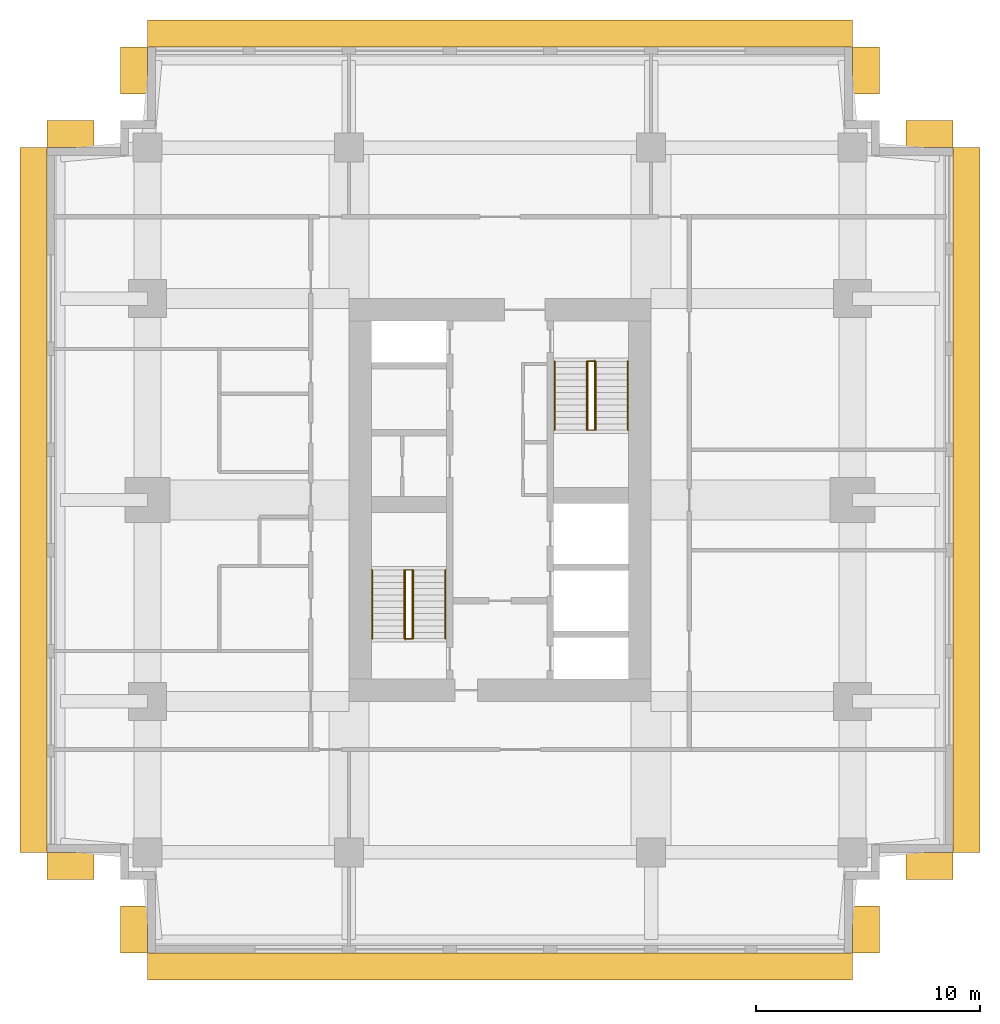
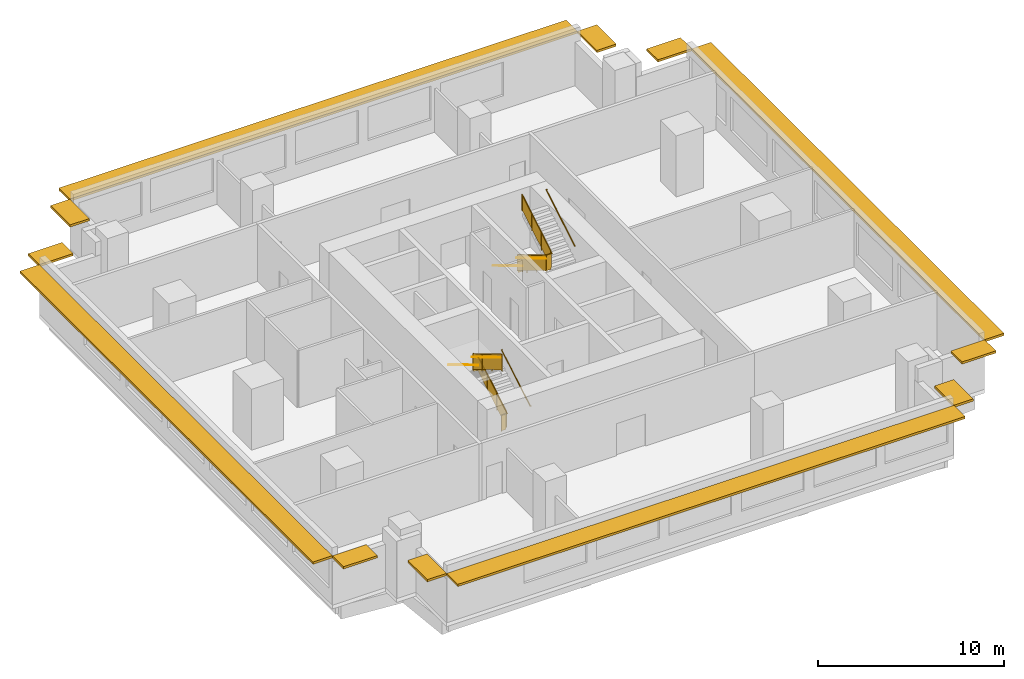
# One storey, part 5 of 5: 12 shading devices, 10 railings.
"""IFC4 building model written with IfcOpenShell, lengths in metres."""

from ifc_helpers import new_model, si_unit, direction, frame, origin, origin_2d, place, context, subcontext, project, spatial, polyline, rectangle, circle, outline, extrude, material, layer, layer_set, type_object, element, save


model = new_model("IFC4")

# Units and contexts
model_context = context("Model", 3, precision=1e-05, world=origin(), true_north=direction((0.0, 1.0)))
body_context = subcontext(model_context, "Body", "Model", "MODEL_VIEW")
ifc_project = project(units=[si_unit("LENGTHUNIT", "METRE"), si_unit("AREAUNIT", "SQUARE_METRE"), si_unit("VOLUMEUNIT", "CUBIC_METRE"), si_unit("PLANEANGLEUNIT", "RADIAN"), si_unit("MASSUNIT", "GRAM", prefix="KILO")], contexts=[model_context])

# Site, building, storey
site_placement = place(None, origin())
site = spatial("IfcSite", under=ifc_project, at=site_placement, CompositionType="ELEMENT")
building_placement = place(site_placement, origin())
building = spatial("IfcBuilding", under=site, at=building_placement, Name="Namib Vertical Campus", CompositionType="ELEMENT")
storey_placement = place(building_placement, frame((0.0, 0.0, 273.0)))
storey = spatial("IfcBuildingStorey", under=building, at=storey_placement, Name="L64", CompositionType="ELEMENT", Elevation=273.0)

# Railings
ifc_material_1 = material(Name="Steel handrail", Category="steel")
railing_type_1 = type_object("IfcRailingType", Name="Handrail 900", PredefinedType="HANDRAIL", material=ifc_material_1)
railing_1_placement = place(storey_placement, frame((17.800048828125, 14.050048828125, 0.166748046875)))
element("IfcRailing", 1, at=railing_1_placement, inside=storey, type_object=railing_type_1, Name="Handrail HR1 A-S1 L64 1", PredefinedType="HANDRAIL", context=body_context, shape_type="SweptSolid", body=[
    extrude(circle(Radius=0.02392578125, at=origin_2d()), frame((0.0, 0.0, 0.8759765625), z_axis=(0.0, 0.859290745958, 0.51148745235), x_axis=(-1.0, 0.0, 0.0)), (0.0, 0.0, 1.0), 3.584228515625),
    extrude(circle(Radius=0.008056640625, at=origin_2d()), frame((0.0, 0.0, 0.8759765625), z_axis=(1.0, 0.0, 0.0), x_axis=(0.0, 0.0, 1.0)), (0.0, 0.0, 1.0), 0.050048828125),
    extrude(circle(Radius=0.008056640625, at=origin_2d()), frame((0.0, 1.026611328125, 1.48681640625), z_axis=(1.0, 0.0, 0.0), x_axis=(0.0, 0.0, 1.0)), (0.0, 0.0, 1.0), 0.050048828125),
    extrude(circle(Radius=0.008056640625, at=origin_2d()), frame((0.0, 2.05322265625, 2.09814453125), z_axis=(1.0, 0.0, 0.0), x_axis=(0.0, 0.0, 1.0)), (0.0, 0.0, 1.0), 0.050048828125),
    extrude(circle(Radius=0.008056640625, at=origin_2d()), frame((0.0, 3.079833984375, 2.708984375), z_axis=(1.0, 0.0, 0.0), x_axis=(0.0, 0.0, 1.0)), (0.0, 0.0, 1.0), 0.050048828125),
])
railing_2_placement = place(storey_placement, frame((14.550048828125, 17.1298828125, 2.166748046875)))
element("IfcRailing", 2, at=railing_2_placement, inside=storey, type_object=railing_type_1, Name="Handrail HR1 A-S1 L64 2", PredefinedType="HANDRAIL", context=body_context, shape_type="SweptSolid", body=[
    extrude(circle(Radius=0.02392578125, at=origin_2d()), frame((0.0, 0.0, 0.8759765625), z_axis=(0.0, -0.859290745958, 0.51148745235), x_axis=(1.0, 0.0, 0.0)), (0.0, 0.0, 1.0), 3.584228515625),
    extrude(circle(Radius=0.008056640625, at=origin_2d()), frame((0.0, 0.0, 0.8759765625), z_axis=(-1.0, 0.0, 0.0), x_axis=(0.0, 0.0, 1.0)), (0.0, 0.0, 1.0), 0.050048828125),
    extrude(circle(Radius=0.008056640625, at=origin_2d()), frame((0.0, -1.026611328125, 1.48681640625), z_axis=(-1.0, 0.0, 0.0), x_axis=(0.0, 0.0, 1.0)), (0.0, 0.0, 1.0), 0.050048828125),
    extrude(circle(Radius=0.008056640625, at=origin_2d()), frame((0.0, -2.05322265625, 2.09814453125), z_axis=(-1.0, 0.0, 0.0), x_axis=(0.0, 0.0, 1.0)), (0.0, 0.0, 1.0), 0.050048828125),
    extrude(circle(Radius=0.008056640625, at=origin_2d()), frame((0.0, -3.079833984375, 2.708984375), z_axis=(-1.0, 0.0, 0.0), x_axis=(0.0, 0.0, 1.0)), (0.0, 0.0, 1.0), 0.050048828125),
])
railing_3_placement = place(storey_placement, frame((16.375, 14.050048828125, 0.166748046875)))
element("IfcRailing", 3, at=railing_3_placement, inside=storey, type_object=railing_type_1, Name="Handrail HR1 A-S1 L64 1 at the well", PredefinedType="HANDRAIL", context=body_context, shape_type="SweptSolid", body=[
    extrude(circle(Radius=0.02392578125, at=origin_2d()), frame((0.0, 0.0, 0.8759765625), z_axis=(0.0, 0.859290745958, 0.51148745235), x_axis=(-1.0, 0.0, 0.0)), (0.0, 0.0, 1.0), 3.584228515625),
    extrude(circle(Radius=0.008056640625, at=origin_2d()), frame((0.0, 0.0, 0.8759765625), z_axis=(-1.0, 0.0, 0.0), x_axis=(0.0, 0.0, 1.0)), (0.0, 0.0, 1.0), 0.0400390625),
    extrude(circle(Radius=0.008056640625, at=origin_2d()), frame((0.0, 1.026611328125, 1.48681640625), z_axis=(-1.0, 0.0, 0.0), x_axis=(0.0, 0.0, 1.0)), (0.0, 0.0, 1.0), 0.0400390625),
    extrude(circle(Radius=0.008056640625, at=origin_2d()), frame((0.0, 2.05322265625, 2.09814453125), z_axis=(-1.0, 0.0, 0.0), x_axis=(0.0, 0.0, 1.0)), (0.0, 0.0, 1.0), 0.0400390625),
    extrude(circle(Radius=0.008056640625, at=origin_2d()), frame((0.0, 3.079833984375, 2.708984375), z_axis=(-1.0, 0.0, 0.0), x_axis=(0.0, 0.0, 1.0)), (0.0, 0.0, 1.0), 0.0400390625),
])
railing_4_placement = place(storey_placement, frame((15.97509765625, 17.1298828125, 2.166748046875)))
element("IfcRailing", 4, at=railing_4_placement, inside=storey, type_object=railing_type_1, Name="Handrail HR1 A-S1 L64 2 at the well", PredefinedType="HANDRAIL", context=body_context, shape_type="SweptSolid", body=[
    extrude(circle(Radius=0.02392578125, at=origin_2d()), frame((0.0, 0.0, 0.8759765625), z_axis=(0.0, -0.859290745958, 0.51148745235), x_axis=(1.0, 0.0, 0.0)), (0.0, 0.0, 1.0), 3.584228515625),
    extrude(circle(Radius=0.008056640625, at=origin_2d()), frame((0.0, 0.0, 0.8759765625), z_axis=(1.0, 0.0, 0.0), x_axis=(0.0, 0.0, 1.0)), (0.0, 0.0, 1.0), 0.0400390625),
    extrude(circle(Radius=0.008056640625, at=origin_2d()), frame((0.0, -1.026611328125, 1.48681640625), z_axis=(1.0, 0.0, 0.0), x_axis=(0.0, 0.0, 1.0)), (0.0, 0.0, 1.0), 0.0400390625),
    extrude(circle(Radius=0.008056640625, at=origin_2d()), frame((0.0, -2.05322265625, 2.09814453125), z_axis=(1.0, 0.0, 0.0), x_axis=(0.0, 0.0, 1.0)), (0.0, 0.0, 1.0), 0.0400390625),
    extrude(circle(Radius=0.008056640625, at=origin_2d()), frame((0.0, -3.079833984375, 2.708984375), z_axis=(1.0, 0.0, 0.0), x_axis=(0.0, 0.0, 1.0)), (0.0, 0.0, 1.0), 0.0400390625),
])
railing_5_placement = place(storey_placement, frame((22.699951171875, 26.449951171875, 0.166748046875)))
element("IfcRailing", 5, at=railing_5_placement, inside=storey, type_object=railing_type_1, Name="Handrail HR1 A-S2 L64 1", PredefinedType="HANDRAIL", context=body_context, shape_type="SweptSolid", body=[
    extrude(circle(Radius=0.02392578125, at=origin_2d()), frame((0.0, 0.0, 0.8759765625), z_axis=(0.0, -0.859290745958, 0.51148745235), x_axis=(1.0, 0.0, 0.0)), (0.0, 0.0, 1.0), 3.584228515625),
    extrude(circle(Radius=0.008056640625, at=origin_2d()), frame((0.0, 0.0, 0.8759765625), z_axis=(-1.0, 0.0, 0.0), x_axis=(0.0, 0.0, 1.0)), (0.0, 0.0, 1.0), 0.050048828125),
    extrude(circle(Radius=0.008056640625, at=origin_2d()), frame((0.0, -1.026611328125, 1.48681640625), z_axis=(-1.0, 0.0, 0.0), x_axis=(0.0, 0.0, 1.0)), (0.0, 0.0, 1.0), 0.050048828125),
    extrude(circle(Radius=0.008056640625, at=origin_2d()), frame((0.0, -2.05322265625, 2.09814453125), z_axis=(-1.0, 0.0, 0.0), x_axis=(0.0, 0.0, 1.0)), (0.0, 0.0, 1.0), 0.050048828125),
    extrude(circle(Radius=0.008056640625, at=origin_2d()), frame((0.0, -3.079833984375, 2.708984375), z_axis=(-1.0, 0.0, 0.0), x_axis=(0.0, 0.0, 1.0)), (0.0, 0.0, 1.0), 0.050048828125),
])
railing_6_placement = place(storey_placement, frame((25.949951171875, 23.3701171875, 2.166748046875)))
element("IfcRailing", 6, at=railing_6_placement, inside=storey, type_object=railing_type_1, Name="Handrail HR1 A-S2 L64 2", PredefinedType="HANDRAIL", context=body_context, shape_type="SweptSolid", body=[
    extrude(circle(Radius=0.02392578125, at=origin_2d()), frame((0.0, 0.0, 0.8759765625), z_axis=(0.0, 0.859290745958, 0.51148745235), x_axis=(-1.0, 0.0, 0.0)), (0.0, 0.0, 1.0), 3.584228515625),
    extrude(circle(Radius=0.008056640625, at=origin_2d()), frame((0.0, 0.0, 0.8759765625), z_axis=(1.0, 0.0, 0.0), x_axis=(0.0, 0.0, 1.0)), (0.0, 0.0, 1.0), 0.050048828125),
    extrude(circle(Radius=0.008056640625, at=origin_2d()), frame((0.0, 1.026611328125, 1.48681640625), z_axis=(1.0, 0.0, 0.0), x_axis=(0.0, 0.0, 1.0)), (0.0, 0.0, 1.0), 0.050048828125),
    extrude(circle(Radius=0.008056640625, at=origin_2d()), frame((0.0, 2.05322265625, 2.09814453125), z_axis=(1.0, 0.0, 0.0), x_axis=(0.0, 0.0, 1.0)), (0.0, 0.0, 1.0), 0.050048828125),
    extrude(circle(Radius=0.008056640625, at=origin_2d()), frame((0.0, 3.079833984375, 2.708984375), z_axis=(1.0, 0.0, 0.0), x_axis=(0.0, 0.0, 1.0)), (0.0, 0.0, 1.0), 0.050048828125),
])
railing_7_placement = place(storey_placement, frame((24.125, 26.449951171875, 0.166748046875)))
element("IfcRailing", 7, at=railing_7_placement, inside=storey, type_object=railing_type_1, Name="Handrail HR1 A-S2 L64 1 at the well", PredefinedType="HANDRAIL", context=body_context, shape_type="SweptSolid", body=[
    extrude(circle(Radius=0.02392578125, at=origin_2d()), frame((0.0, 0.0, 0.8759765625), z_axis=(0.0, -0.859290745958, 0.51148745235), x_axis=(1.0, 0.0, 0.0)), (0.0, 0.0, 1.0), 3.584228515625),
    extrude(circle(Radius=0.008056640625, at=origin_2d()), frame((0.0, 0.0, 0.8759765625), z_axis=(1.0, 0.0, 0.0), x_axis=(0.0, 0.0, 1.0)), (0.0, 0.0, 1.0), 0.0400390625),
    extrude(circle(Radius=0.008056640625, at=origin_2d()), frame((0.0, -1.026611328125, 1.48681640625), z_axis=(1.0, 0.0, 0.0), x_axis=(0.0, 0.0, 1.0)), (0.0, 0.0, 1.0), 0.0400390625),
    extrude(circle(Radius=0.008056640625, at=origin_2d()), frame((0.0, -2.05322265625, 2.09814453125), z_axis=(1.0, 0.0, 0.0), x_axis=(0.0, 0.0, 1.0)), (0.0, 0.0, 1.0), 0.0400390625),
    extrude(circle(Radius=0.008056640625, at=origin_2d()), frame((0.0, -3.079833984375, 2.708984375), z_axis=(1.0, 0.0, 0.0), x_axis=(0.0, 0.0, 1.0)), (0.0, 0.0, 1.0), 0.0400390625),
])
railing_8_placement = place(storey_placement, frame((24.52490234375, 23.3701171875, 2.166748046875)))
element("IfcRailing", 8, at=railing_8_placement, inside=storey, type_object=railing_type_1, Name="Handrail HR1 A-S2 L64 2 at the well", PredefinedType="HANDRAIL", context=body_context, shape_type="SweptSolid", body=[
    extrude(circle(Radius=0.02392578125, at=origin_2d()), frame((0.0, 0.0, 0.8759765625), z_axis=(0.0, 0.859290745958, 0.51148745235), x_axis=(-1.0, 0.0, 0.0)), (0.0, 0.0, 1.0), 3.584228515625),
    extrude(circle(Radius=0.008056640625, at=origin_2d()), frame((0.0, 0.0, 0.8759765625), z_axis=(-1.0, 0.0, 0.0), x_axis=(0.0, 0.0, 1.0)), (0.0, 0.0, 1.0), 0.0400390625),
    extrude(circle(Radius=0.008056640625, at=origin_2d()), frame((0.0, 1.026611328125, 1.48681640625), z_axis=(-1.0, 0.0, 0.0), x_axis=(0.0, 0.0, 1.0)), (0.0, 0.0, 1.0), 0.0400390625),
    extrude(circle(Radius=0.008056640625, at=origin_2d()), frame((0.0, 2.05322265625, 2.09814453125), z_axis=(-1.0, 0.0, 0.0), x_axis=(0.0, 0.0, 1.0)), (0.0, 0.0, 1.0), 0.0400390625),
    extrude(circle(Radius=0.008056640625, at=origin_2d()), frame((0.0, 3.079833984375, 2.708984375), z_axis=(-1.0, 0.0, 0.0), x_axis=(0.0, 0.0, 1.0)), (0.0, 0.0, 1.0), 0.0400390625),
])
ifc_material_2 = material(Name="Steel balustrade", Category="steel")
railing_type_2 = type_object("IfcRailingType", Name="Stair guard 1100", PredefinedType="GUARDRAIL", material=ifc_material_2)
railing_9_placement = place(storey_placement, frame((16.02490234375, 14.050048828125, 0.0)))
element("IfcRailing", 9, at=railing_9_placement, inside=storey, type_object=railing_type_2, Name="Stair guard GR1 A-S1 L64", PredefinedType="GUARDRAIL", context=body_context, shape_type="SweptSolid", body=[
    extrude(circle(Radius=0.02392578125, at=origin_2d()), frame((0.0, 0.0, 1.076171875), z_axis=(1.0, 0.0, 0.0), x_axis=(0.0, 1.0, 0.0)), (0.0, 0.0, 1.0), 0.300048828125),
    extrude(outline(polyline([(0.02099609375, 0.050048828125), (0.279052734375, 0.050048828125), (0.279052734375, 1.052001953125), (0.02099609375, 1.052001953125), (0.02099609375, 0.050048828125)])), frame((0.0, 0.010009765625, 0.0), z_axis=(0.0, -1.0, 0.0), x_axis=(1.0, 0.0, 0.0)), (0.0, 0.0, 1.0), 0.02001953125),
    extrude(circle(Radius=0.02392578125, at=origin_2d()), frame((0.300048828125, 0.0, 1.076171875), z_axis=(0.0, 0.0, 1.0), x_axis=(1.0, 0.0, 0.0)), (0.0, 0.0, 1.0), 0.166748046875),
    extrude(circle(Radius=0.02392578125, at=origin_2d()), frame((0.300048828125, 0.0, 1.24267578125), z_axis=(0.0, 0.859290745958, 0.51148745235), x_axis=(-1.0, 0.0, 0.0)), (0.0, 0.0, 1.0), 3.584228515625),
    extrude(outline(polyline([(0.02099609375, 0.0625), (3.058837890625, 1.870849609375), (3.058837890625, 2.872802734375), (0.02099609375, 1.064453125), (0.02099609375, 0.0625)])), frame((0.2900390625, 0.0, 0.166748046875), z_axis=(1.0, 0.0, 0.0), x_axis=(0.0, 1.0, 0.0)), (0.0, 0.0, 1.0), 0.02001953125),
    extrude(circle(Radius=0.02392578125, at=origin_2d()), frame((0.300048828125, 3.079833984375, 3.076171875), z_axis=(-1.0, 0.0, 0.0), x_axis=(0.0, -1.0, 0.0)), (0.0, 0.0, 1.0), 0.300048828125),
    extrude(outline(polyline([(0.02099609375, 0.050048828125), (0.279052734375, 0.050048828125), (0.279052734375, 1.052001953125), (0.02099609375, 1.052001953125), (0.02099609375, 0.050048828125)])), frame((0.300048828125, 3.06982421875, 2.0), z_axis=(0.0, 1.0, 0.0), x_axis=(-1.0, 0.0, 0.0)), (0.0, 0.0, 1.0), 0.02001953125),
    extrude(circle(Radius=0.02392578125, at=origin_2d()), frame((0.0, 3.079833984375, 3.076171875), z_axis=(0.0, 0.0, 1.0), x_axis=(1.0, 0.0, 0.0)), (0.0, 0.0, 1.0), 0.166748046875),
    extrude(circle(Radius=0.02392578125, at=origin_2d()), frame((0.0, 3.079833984375, 3.24267578125), z_axis=(0.0, -0.859290745958, 0.51148745235), x_axis=(1.0, 0.0, 0.0)), (0.0, 0.0, 1.0), 3.584228515625),
    extrude(outline(polyline([(0.02099609375, 0.0625), (3.058837890625, 1.870849609375), (3.058837890625, 2.872802734375), (0.02099609375, 1.064453125), (0.02099609375, 0.0625)])), frame((0.010009765625, 3.079833984375, 2.166748046875), z_axis=(-1.0, 0.0, 0.0), x_axis=(0.0, -1.0, 0.0)), (0.0, 0.0, 1.0), 0.02001953125),
    extrude(circle(Radius=0.02392578125, at=origin_2d()), frame((0.0, 0.0, 5.076171875), z_axis=(0.0, -1.0, 0.0), x_axis=(1.0, 0.0, 0.0)), (0.0, 0.0, 1.0), 0.050048828125),
    extrude(outline(polyline([(0.02099609375, 0.050048828125), (0.029052734375, 0.050048828125), (0.029052734375, 1.052001953125), (0.02099609375, 1.052001953125), (0.02099609375, 0.050048828125)])), frame((0.010009765625, 0.0, 4.0), z_axis=(-1.0, 0.0, 0.0), x_axis=(0.0, -1.0, 0.0)), (0.0, 0.0, 1.0), 0.02001953125),
    extrude(circle(Radius=0.02099609375, at=origin_2d()), origin(), (0.0, 0.0, 1.0), 1.052001953125),
    extrude(circle(Radius=0.02099609375, at=origin_2d()), frame((0.300048828125, 0.0, 0.166748046875)), (0.0, 0.0, 1.0), 1.052001953125),
    extrude(circle(Radius=0.02099609375, at=origin_2d()), frame((0.300048828125, 1.026611328125, 0.666748046875)), (0.0, 0.0, 1.0), 1.1630859375),
    extrude(circle(Radius=0.02099609375, at=origin_2d()), frame((0.300048828125, 2.05322265625, 1.33349609375)), (0.0, 0.0, 1.0), 1.107421875),
    extrude(circle(Radius=0.02099609375, at=origin_2d()), frame((0.300048828125, 3.079833984375, 2.0)), (0.0, 0.0, 1.0), 1.052001953125),
    extrude(circle(Radius=0.02099609375, at=origin_2d()), frame((0.0, 3.079833984375, 2.166748046875)), (0.0, 0.0, 1.0), 1.052001953125),
    extrude(circle(Radius=0.02099609375, at=origin_2d()), frame((0.0, 2.05322265625, 2.666748046875)), (0.0, 0.0, 1.0), 1.1630859375),
    extrude(circle(Radius=0.02099609375, at=origin_2d()), frame((0.0, 1.026611328125, 3.33349609375)), (0.0, 0.0, 1.0), 1.107421875),
    extrude(circle(Radius=0.02099609375, at=origin_2d()), frame((0.0, 0.0, 4.0)), (0.0, 0.0, 1.0), 1.052001953125),
    extrude(circle(Radius=0.02099609375, at=origin_2d()), frame((0.0, -0.050048828125, 4.0)), (0.0, 0.0, 1.0), 1.052001953125),
])
railing_10_placement = place(storey_placement, frame((24.47509765625, 26.449951171875, 0.0)))
element("IfcRailing", 10, at=railing_10_placement, inside=storey, type_object=railing_type_2, Name="Stair guard GR1 A-S2 L64", PredefinedType="GUARDRAIL", context=body_context, shape_type="SweptSolid", body=[
    extrude(circle(Radius=0.02392578125, at=origin_2d()), frame((0.0, 0.0, 1.076171875), z_axis=(-1.0, 0.0, 0.0), x_axis=(0.0, -1.0, 0.0)), (0.0, 0.0, 1.0), 0.300048828125),
    extrude(outline(polyline([(0.02099609375, 0.050048828125), (0.279052734375, 0.050048828125), (0.279052734375, 1.052001953125), (0.02099609375, 1.052001953125), (0.02099609375, 0.050048828125)])), frame((0.0, -0.010009765625, 0.0), z_axis=(0.0, 1.0, 0.0), x_axis=(-1.0, 0.0, 0.0)), (0.0, 0.0, 1.0), 0.02001953125),
    extrude(circle(Radius=0.02392578125, at=origin_2d()), frame((-0.300048828125, 0.0, 1.076171875), z_axis=(0.0, 0.0, 1.0), x_axis=(1.0, 0.0, 0.0)), (0.0, 0.0, 1.0), 0.166748046875),
    extrude(circle(Radius=0.02392578125, at=origin_2d()), frame((-0.300048828125, 0.0, 1.24267578125), z_axis=(0.0, -0.859290745958, 0.51148745235), x_axis=(1.0, 0.0, 0.0)), (0.0, 0.0, 1.0), 3.584228515625),
    extrude(outline(polyline([(0.02099609375, 0.0625), (3.058837890625, 1.870849609375), (3.058837890625, 2.872802734375), (0.02099609375, 1.064453125), (0.02099609375, 0.0625)])), frame((-0.2900390625, 0.0, 0.166748046875), z_axis=(-1.0, 0.0, 0.0), x_axis=(0.0, -1.0, 0.0)), (0.0, 0.0, 1.0), 0.02001953125),
    extrude(circle(Radius=0.02392578125, at=origin_2d()), frame((-0.300048828125, -3.079833984375, 3.076171875), z_axis=(1.0, 0.0, 0.0), x_axis=(0.0, 1.0, 0.0)), (0.0, 0.0, 1.0), 0.300048828125),
    extrude(outline(polyline([(0.02099609375, 0.050048828125), (0.279052734375, 0.050048828125), (0.279052734375, 1.052001953125), (0.02099609375, 1.052001953125), (0.02099609375, 0.050048828125)])), frame((-0.300048828125, -3.06982421875, 2.0), z_axis=(0.0, -1.0, 0.0), x_axis=(1.0, 0.0, 0.0)), (0.0, 0.0, 1.0), 0.02001953125),
    extrude(circle(Radius=0.02392578125, at=origin_2d()), frame((0.0, -3.079833984375, 3.076171875), z_axis=(0.0, 0.0, 1.0), x_axis=(1.0, 0.0, 0.0)), (0.0, 0.0, 1.0), 0.166748046875),
    extrude(circle(Radius=0.02392578125, at=origin_2d()), frame((0.0, -3.079833984375, 3.24267578125), z_axis=(0.0, 0.859290745958, 0.51148745235), x_axis=(-1.0, 0.0, 0.0)), (0.0, 0.0, 1.0), 3.584228515625),
    extrude(outline(polyline([(0.02099609375, 0.0625), (3.058837890625, 1.870849609375), (3.058837890625, 2.872802734375), (0.02099609375, 1.064453125), (0.02099609375, 0.0625)])), frame((-0.010009765625, -3.079833984375, 2.166748046875), z_axis=(1.0, 0.0, 0.0), x_axis=(0.0, 1.0, 0.0)), (0.0, 0.0, 1.0), 0.02001953125),
    extrude(circle(Radius=0.02392578125, at=origin_2d()), frame((0.0, 0.0, 5.076171875), z_axis=(0.0, 1.0, 0.0), x_axis=(-1.0, 0.0, 0.0)), (0.0, 0.0, 1.0), 0.050048828125),
    extrude(outline(polyline([(0.02099609375, 0.050048828125), (0.029052734375, 0.050048828125), (0.029052734375, 1.052001953125), (0.02099609375, 1.052001953125), (0.02099609375, 0.050048828125)])), frame((-0.010009765625, 0.0, 4.0), z_axis=(1.0, 0.0, 0.0), x_axis=(0.0, 1.0, 0.0)), (0.0, 0.0, 1.0), 0.02001953125),
    extrude(circle(Radius=0.02099609375, at=origin_2d()), origin(), (0.0, 0.0, 1.0), 1.052001953125),
    extrude(circle(Radius=0.02099609375, at=origin_2d()), frame((-0.300048828125, 0.0, 0.166748046875)), (0.0, 0.0, 1.0), 1.052001953125),
    extrude(circle(Radius=0.02099609375, at=origin_2d()), frame((-0.300048828125, -1.026611328125, 0.666748046875)), (0.0, 0.0, 1.0), 1.1630859375),
    extrude(circle(Radius=0.02099609375, at=origin_2d()), frame((-0.300048828125, -2.05322265625, 1.33349609375)), (0.0, 0.0, 1.0), 1.107421875),
    extrude(circle(Radius=0.02099609375, at=origin_2d()), frame((-0.300048828125, -3.079833984375, 2.0)), (0.0, 0.0, 1.0), 1.052001953125),
    extrude(circle(Radius=0.02099609375, at=origin_2d()), frame((0.0, -3.079833984375, 2.166748046875)), (0.0, 0.0, 1.0), 1.052001953125),
    extrude(circle(Radius=0.02099609375, at=origin_2d()), frame((0.0, -2.05322265625, 2.666748046875)), (0.0, 0.0, 1.0), 1.1630859375),
    extrude(circle(Radius=0.02099609375, at=origin_2d()), frame((0.0, -1.026611328125, 3.33349609375)), (0.0, 0.0, 1.0), 1.107421875),
    extrude(circle(Radius=0.02099609375, at=origin_2d()), frame((0.0, 0.0, 4.0)), (0.0, 0.0, 1.0), 1.052001953125),
    extrude(circle(Radius=0.02099609375, at=origin_2d()), frame((0.0, 0.050048828125, 4.0)), (0.0, 0.0, 1.0), 1.052001953125),
])

# Shading devices
ifc_material_3 = material(Name="Concrete C40/50 precast", Category="concrete")
ifc_layer = layer(ifc_material_3, 0.14990234375)
ifc_layer_set = layer_set([ifc_layer], Name="Concrete C40/50 precast")
shading_device_type = type_object("IfcShadingDeviceType", Name="Sunshade hood 1200", PredefinedType="SHUTTER", material=ifc_layer_set)
shading_device_1_placement = place(storey_placement, frame((20.25, -0.60009765625, 3.10009765625), z_axis=(0.0, 0.0, 1.0), x_axis=(1.0, 0.0, 0.0)))
element("IfcShadingDevice", 11, at=shading_device_1_placement, inside=storey, type_object=shading_device_type, Name="Sunshade SH2 L64 1", PredefinedType="SHUTTER", context=body_context, shape_type="SweptSolid", body=[
    extrude(rectangle(XDim=31.5, YDim=1.199951171875, at=origin_2d()), origin(), (0.0, 0.0, 1.0), 0.14990234375),
])
for number, where, z_axis, x_axis, name in (
    (12, (36.60009765625, 1.050048828125, 3.10009765625), (0.0, 0.0, 1.0), (0.0, 1.0, 0.0), "Sunshade SH2 L64 2"),
    (13, (39.449951171875, 3.89990234375, 3.10009765625), (0.0, 0.0, 1.0), (1.0, 0.0, 0.0), "Sunshade SH2 L64 5"),
):
    element("IfcShadingDevice", number, at=place(storey_placement, frame(where, z_axis=z_axis, x_axis=x_axis)), inside=storey, type_object=shading_device_type, Name=name, PredefinedType="SHUTTER", context=body_context, shape_type="SweptSolid", body=[
        extrude(rectangle(XDim=2.10009765625, YDim=1.199951171875, at=origin_2d()), origin(), (0.0, 0.0, 1.0), 0.14990234375),
    ])
shading_device_2_placement = place(storey_placement, frame((41.10009765625, 20.25, 3.10009765625), z_axis=(0.0, 0.0, 1.0), x_axis=(0.0, 1.0, 0.0)))
element("IfcShadingDevice", 14, at=shading_device_2_placement, inside=storey, type_object=shading_device_type, Name="Sunshade SH2 L64 6", PredefinedType="SHUTTER", context=body_context, shape_type="SweptSolid", body=[
    extrude(rectangle(XDim=31.5, YDim=1.199951171875, at=origin_2d()), origin(), (0.0, 0.0, 1.0), 0.14990234375),
])
for number, where, z_axis, x_axis, name in (
    (15, (39.449951171875, 36.60009765625, 3.10009765625), (0.0, 0.0, 1.0), (-1.0, 0.0, 0.0), "Sunshade SH2 L64 7"),
    (16, (36.60009765625, 39.449951171875, 3.10009765625), (0.0, 0.0, 1.0), (0.0, 1.0, 0.0), "Sunshade SH2 L64 10"),
):
    element("IfcShadingDevice", number, at=place(storey_placement, frame(where, z_axis=z_axis, x_axis=x_axis)), inside=storey, type_object=shading_device_type, Name=name, PredefinedType="SHUTTER", context=body_context, shape_type="SweptSolid", body=[
        extrude(rectangle(XDim=2.10009765625, YDim=1.199951171875, at=origin_2d()), origin(), (0.0, 0.0, 1.0), 0.14990234375),
    ])
shading_device_3_placement = place(storey_placement, frame((20.25, 41.10009765625, 3.10009765625), z_axis=(0.0, 0.0, 1.0), x_axis=(-1.0, 0.0, 0.0)))
element("IfcShadingDevice", 17, at=shading_device_3_placement, inside=storey, type_object=shading_device_type, Name="Sunshade SH2 L64 11", PredefinedType="SHUTTER", context=body_context, shape_type="SweptSolid", body=[
    extrude(rectangle(XDim=31.5, YDim=1.199951171875, at=origin_2d()), origin(), (0.0, 0.0, 1.0), 0.14990234375),
])
for number, where, z_axis, x_axis, name in (
    (18, (3.89990234375, 39.449951171875, 3.10009765625), (0.0, 0.0, 1.0), (0.0, -1.0, 0.0), "Sunshade SH2 L64 12"),
    (19, (1.050048828125, 36.60009765625, 3.10009765625), (0.0, 0.0, 1.0), (-1.0, 0.0, 0.0), "Sunshade SH2 L64 15"),
):
    element("IfcShadingDevice", number, at=place(storey_placement, frame(where, z_axis=z_axis, x_axis=x_axis)), inside=storey, type_object=shading_device_type, Name=name, PredefinedType="SHUTTER", context=body_context, shape_type="SweptSolid", body=[
        extrude(rectangle(XDim=2.10009765625, YDim=1.199951171875, at=origin_2d()), origin(), (0.0, 0.0, 1.0), 0.14990234375),
    ])
shading_device_4_placement = place(storey_placement, frame((-0.60009765625, 20.25, 3.10009765625), z_axis=(0.0, 0.0, 1.0), x_axis=(0.0, -1.0, 0.0)))
element("IfcShadingDevice", 20, at=shading_device_4_placement, inside=storey, type_object=shading_device_type, Name="Sunshade SH2 L64 16", PredefinedType="SHUTTER", context=body_context, shape_type="SweptSolid", body=[
    extrude(rectangle(XDim=31.5, YDim=1.199951171875, at=origin_2d()), origin(), (0.0, 0.0, 1.0), 0.14990234375),
])
for number, where, z_axis, x_axis, name in (
    (21, (1.050048828125, 3.89990234375, 3.10009765625), (0.0, 0.0, 1.0), (1.0, 0.0, 0.0), "Sunshade SH2 L64 17"),
    (22, (3.89990234375, 1.050048828125, 3.10009765625), (0.0, 0.0, 1.0), (0.0, -1.0, 0.0), "Sunshade SH2 L64 20"),
):
    element("IfcShadingDevice", number, at=place(storey_placement, frame(where, z_axis=z_axis, x_axis=x_axis)), inside=storey, type_object=shading_device_type, Name=name, PredefinedType="SHUTTER", context=body_context, shape_type="SweptSolid", body=[
        extrude(rectangle(XDim=2.10009765625, YDim=1.199951171875, at=origin_2d()), origin(), (0.0, 0.0, 1.0), 0.14990234375),
    ])

save(model, "model.ifc")
